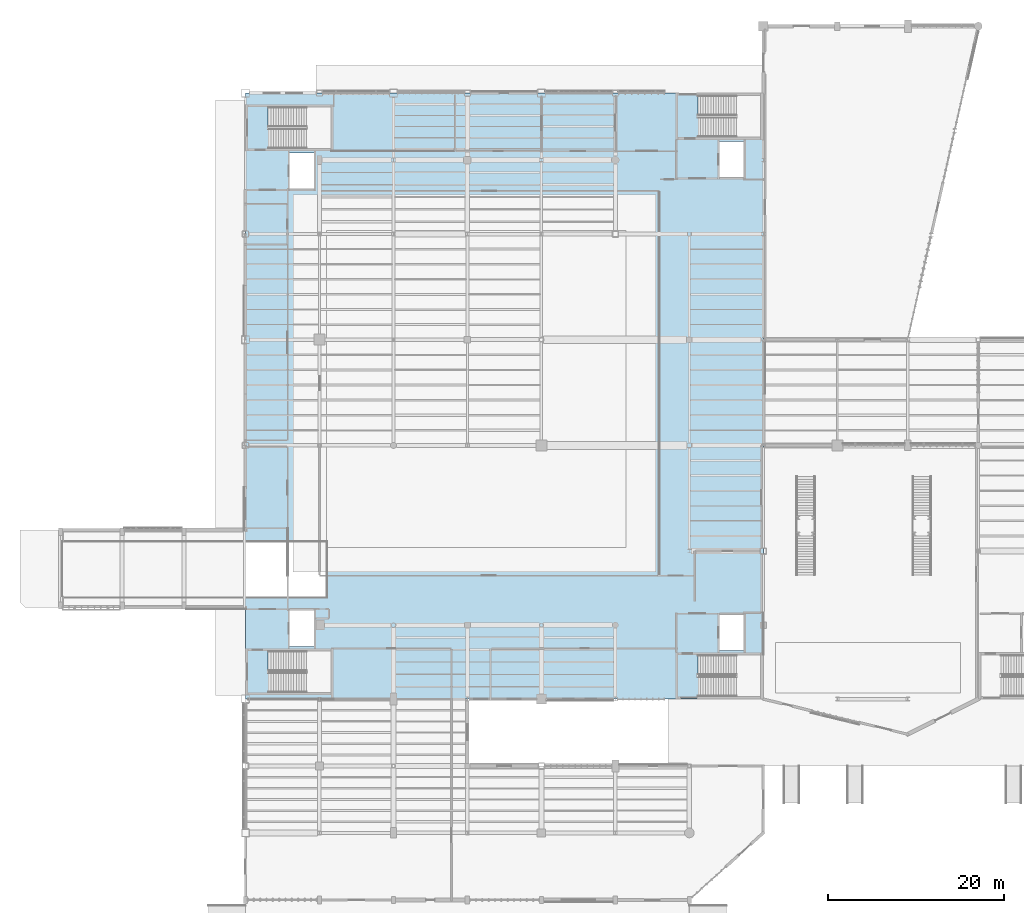
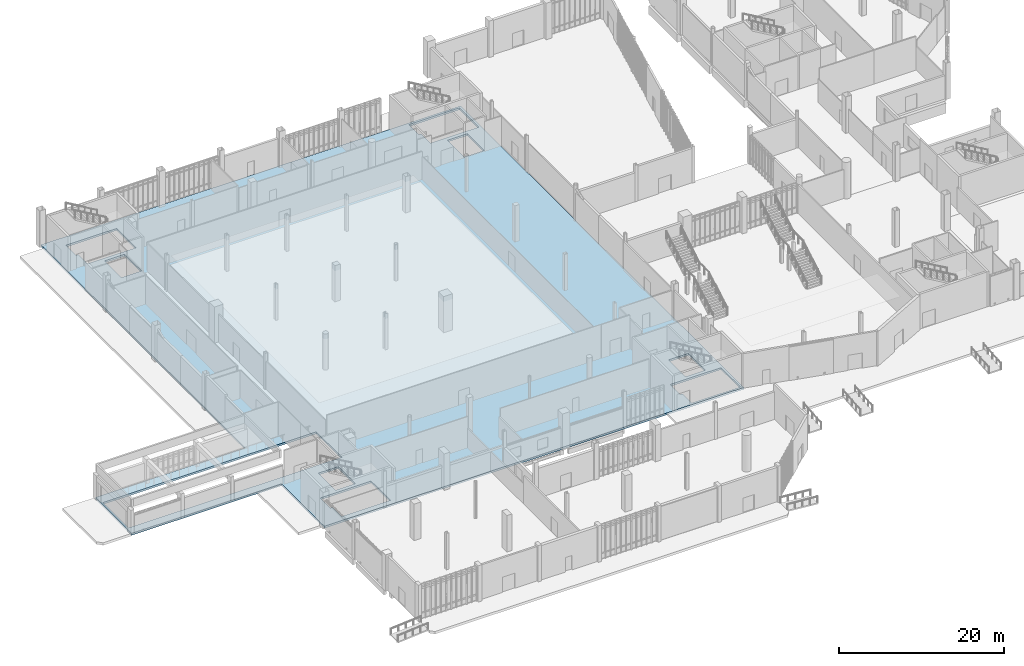
# One storey, part 56 of 111: 1 slab.
"""IFC4 building model written with IfcOpenShell, lengths in metres."""

import ifcopenshell
import ifcopenshell.guid

model = None  # the IFC model being written
_history = None  # IfcOwnerHistory: only IFC2X3 demands one
_inside = {}  # id of a spatial element -> (the spatial element, [elements in it])
_under = {}  # id of a project, library or spatial element -> (it, [spatial elements below it])
_declared = {}  # id of a project -> (the project, [libraries it declares])
_typed = {}  # id of a type object -> (the type object, [elements of that type])
_made_of = {}  # id of a material, layer set ... -> (it, [elements and type objects made of it])


def new_model(schema):
    """Start an empty IFC model of exactly this schema.

    Asked for "IFC4X3", IfcOpenShell would pick the latest addendum, in which some entities
    have other attributes; the version numbers below select the first issue.
    IFC2X3 requires an IfcOwnerHistory on every rooted entity: one is made here for all.
    """
    global model, _history
    if schema == "IFC4X3":
        model = ifcopenshell.file(schema_version=(4, 3, 0, 0))
    else:
        model = ifcopenshell.file(schema=schema)
    _inside.clear()
    _under.clear()
    _declared.clear()
    _typed.clear()
    _made_of.clear()
    _history = None
    if model.schema == "IFC2X3":
        org = make("IfcOrganization", Name="unknown")
        user = make(
            "IfcPersonAndOrganization",
            ThePerson=make("IfcPerson", FamilyName="unknown"),
            TheOrganization=org,
        )
        app = make(
            "IfcApplication",
            ApplicationDeveloper=org,
            Version="unknown",
            ApplicationFullName="unknown",
            ApplicationIdentifier="unknown",
        )
        _history = make(
            "IfcOwnerHistory",
            OwningUser=user,
            OwningApplication=app,
            ChangeAction="ADDED",
            CreationDate=0,
        )
    return model


def make(cls, **values):
    """One entity of the class cls with the attributes given. An attribute that is None is left unset."""
    return model.create_entity(
        cls, **{name: value for name, value in values.items() if value is not None}
    )


def rooted(cls, **values):
    """An entity with a GlobalId (a new one), such as an element, a storey or a relation."""
    return make(cls, GlobalId=ifcopenshell.guid.new(), OwnerHistory=_history, **values)


def si_unit(unit_type, name, prefix=None):
    """IfcSIUnit, for example si_unit("LENGTHUNIT", "METRE", prefix="MILLI")."""
    return make("IfcSIUnit", UnitType=unit_type, Prefix=prefix, Name=name)


def assignment(units):
    """IfcUnitAssignment: the units of a project."""
    return None if units is None else make("IfcUnitAssignment", Units=units)


def point(xyz):
    """IfcCartesianPoint."""
    return None if xyz is None else make("IfcCartesianPoint", Coordinates=xyz)


def direction(xyz):
    """IfcDirection."""
    return None if xyz is None else make("IfcDirection", DirectionRatios=xyz)


def frame(location, z_axis=None, x_axis=None):
    """IfcAxis2Placement3D, a coordinate frame: its origin and axes. An axis left out is left unset."""
    return make(
        "IfcAxis2Placement3D",
        Location=point(location),
        Axis=direction(z_axis),
        RefDirection=direction(x_axis),
    )


def origin():
    """The frame at (0, 0, 0) with its axes left unset."""
    return frame((0.0, 0.0, 0.0))


def place(relative_to, where):
    """IfcLocalPlacement: puts the frame where relative to a parent placement (None: the world)."""
    return make(
        "IfcLocalPlacement", PlacementRelTo=relative_to, RelativePlacement=where
    )


def context(
    kind, dimensions, precision=None, world=None, true_north=None, identifier=None
):
    """IfcGeometricRepresentationContext, for example the 3D "Model" context."""
    return make(
        "IfcGeometricRepresentationContext",
        ContextIdentifier=identifier,
        ContextType=kind,
        CoordinateSpaceDimension=dimensions,
        Precision=precision,
        WorldCoordinateSystem=world,
        TrueNorth=true_north,
    )


def subcontext(parent, identifier, kind, view, scale=None):
    """IfcGeometricRepresentationSubContext, for example "Body" below "Model"."""
    return make(
        "IfcGeometricRepresentationSubContext",
        ContextIdentifier=identifier,
        ContextType=kind,
        ParentContext=parent,
        TargetScale=scale,
        TargetView=view,
    )


def project(units=None, contexts=None):
    """IfcProject with its units and contexts."""
    return rooted(
        "IfcProject",
        Name="project",
        RepresentationContexts=contexts,
        UnitsInContext=assignment(units),
    )


def spatial(cls, under=None, at=None, **own):
    """A site, building, storey or space (cls), placed at a placement, below another one or the project."""
    s = rooted(cls, ObjectPlacement=at, **own)
    if under is not None:
        _under.setdefault(under.id(), (under, []))[1].append(s)
    return s


def polyline(points):
    """IfcPolyline through the points."""
    return make("IfcPolyline", Points=[point(p) for p in points])


def outline(outer, holes=None, kind="AREA"):
    """IfcArbitraryClosedProfileDef: a profile drawn as a closed curve; with holes, ...WithVoids."""
    if holes is None:
        return make("IfcArbitraryClosedProfileDef", ProfileType=kind, OuterCurve=outer)
    return make(
        "IfcArbitraryProfileDefWithVoids",
        ProfileType=kind,
        OuterCurve=outer,
        InnerCurves=holes,
    )


def extrude(swept, where, along, depth):
    """IfcExtrudedAreaSolid: the profile swept, set in the frame where, extruded along a direction by depth."""
    return make(
        "IfcExtrudedAreaSolid",
        SweptArea=swept,
        Position=where,
        ExtrudedDirection=direction(along),
        Depth=depth,
    )


def shape(context_of_items, identifier, shape_type, items):
    """IfcShapeRepresentation: the items that make up one representation, for example the "Body"."""
    return make(
        "IfcShapeRepresentation",
        ContextOfItems=context_of_items,
        RepresentationIdentifier=identifier,
        RepresentationType=shape_type,
        Items=items,
    )


def material(Name=None, Category=None):
    """IfcMaterial."""
    return make("IfcMaterial", Name=Name, Category=Category)


def layer(
    of_material, thickness, ventilated=None, Name=None, Category=None, Priority=None
):
    """IfcMaterialLayer: one layer of a wall or slab, of a material (None: an air gap)."""
    return make(
        "IfcMaterialLayer",
        Material=of_material,
        LayerThickness=thickness,
        IsVentilated=ventilated,
        Name=Name,
        Category=Category,
        Priority=Priority,
    )


def layer_set(layers, Name=None):
    """IfcMaterialLayerSet."""
    return make("IfcMaterialLayerSet", MaterialLayers=layers, LayerSetName=Name)


def made_of(thing, what):
    """Note that an element or type object is made of a material, layer set ...; save() writes the relation."""
    if what is not None:
        _made_of.setdefault(what.id(), (what, []))[1].append(thing)
    return thing


def type_object(cls, material=None, **own):
    """A type object (cls), such as IfcWallType, which elements share."""
    return made_of(rooted(cls, **own), material)


def element(
    cls,
    number,
    at=None,
    inside=None,
    cuts=None,
    type_object=None,
    material=None,
    context=None,
    identifier="Body",
    shape_type=None,
    held_by="IfcProductDefinitionShape",
    body=None,
    shapes=None,
    **own,
):
    """One element of the class cls, such as IfcWall. Its Tag is "e" and its number.

    at: its placement. inside: the storey or other place that contains it. cuts: it is an
    opening in that element (IfcRelVoidsElement). A single representation is given by context,
    identifier, shape_type and body (its items); several are given by shapes. held_by: the class
    of the entity that holds the representations. save() writes the other relations.
    """
    e = rooted(cls, Tag="e%d" % number, ObjectPlacement=at, **own)
    if body is not None:
        shapes = [shape(context, identifier, shape_type, body)]
    if shapes is not None:
        e.Representation = make(held_by, Representations=shapes)
    if inside is not None:
        _inside.setdefault(inside.id(), (inside, []))[1].append(e)
    if cuts is not None:
        rooted(
            "IfcRelVoidsElement", RelatingBuildingElement=cuts, RelatedOpeningElement=e
        )
    if type_object is not None:
        _typed.setdefault(type_object.id(), (type_object, []))[1].append(e)
    return made_of(e, material)


def aggregate(whole, parts):
    """IfcRelAggregates: a whole, such as a stair, and the parts it consists of."""
    return rooted("IfcRelAggregates", RelatingObject=whole, RelatedObjects=parts)


def save(model, path):
    """Write the relations noted so far, then the file.

    IfcRelAggregates (storeys below a building ...), IfcRelContainedInSpatialStructure (elements
    in a storey), IfcRelDefinesByType, IfcRelAssociatesMaterial and IfcRelDeclares: one each for
    every whole, place, type object, material and project.
    """
    for whole, parts in _under.values():
        aggregate(whole, parts)
    for where, things in _inside.values():
        rooted(
            "IfcRelContainedInSpatialStructure",
            RelatedElements=things,
            RelatingStructure=where,
        )
    for kind, things in _typed.values():
        rooted("IfcRelDefinesByType", RelatedObjects=things, RelatingType=kind)
    for what, things in _made_of.values():
        rooted("IfcRelAssociatesMaterial", RelatedObjects=things, RelatingMaterial=what)
    for by, libraries in _declared.values():
        rooted("IfcRelDeclares", RelatingContext=by, RelatedDefinitions=libraries)
    model.write(path)


model = new_model("IFC4")

# Units and contexts
model_context = context("Model", 3, precision=1e-05, world=origin(), true_north=direction((0.0, 1.0)))
body_context = subcontext(model_context, "Body", "Model", "MODEL_VIEW")
ifc_project = project(units=[si_unit("LENGTHUNIT", "METRE"), si_unit("AREAUNIT", "SQUARE_METRE"), si_unit("VOLUMEUNIT", "CUBIC_METRE"), si_unit("PLANEANGLEUNIT", "RADIAN"), si_unit("MASSUNIT", "GRAM", prefix="KILO")], contexts=[model_context])

# Site, building, storey
site_placement = place(None, origin())
site = spatial("IfcSite", under=ifc_project, at=site_placement, CompositionType="ELEMENT")
building_placement = place(site_placement, origin())
building = spatial("IfcBuilding", under=site, at=building_placement, Name="Larkvane Passage Sports Hall", CompositionType="ELEMENT")
storey_placement = place(building_placement, origin())
storey = spatial("IfcBuildingStorey", under=building, at=storey_placement, Name="L00", CompositionType="ELEMENT", Elevation=0.0)

# Slab
ifc_material = material(Name="Concrete C50/60", Category="concrete")
ifc_layer = layer(ifc_material, 0.2900390625)
ifc_layer_set = layer_set([ifc_layer], Name="Concrete C50/60")
slab_type = type_object("IfcSlabType", Name="SLB-FLR-290", PredefinedType="FLOOR", material=ifc_layer_set)
slab_placement = place(storey_placement, frame((0.0, 0.0, -0.2900390625)))
element("IfcSlab", 1, at=slab_placement, inside=storey, type_object=slab_type, Name="Structural floor slab SLAB-L00-V1", PredefinedType="FLOOR", context=body_context, shape_type="SweptSolid", body=[
    extrude(outline(polyline([(13.800048828125, 33.199951171875), (34.800048828125, 33.199951171875), (34.800048828125, 22.800048828125), (93.60009765625, 22.800048828125), (93.60009765625, 91.60009765625), (34.800048828125, 91.60009765625), (34.800048828125, 42.0), (13.800048828125, 42.0), (13.800048828125, 33.199951171875)]), holes=[polyline([(37.679931640625, 23.550048828125), (37.679931640625, 25.800048828125), (37.380615234375, 25.800048828125), (37.380615234375, 28.25), (44.5, 28.25), (44.5, 23.550048828125), (37.679931640625, 23.550048828125)]), polyline([(37.679931640625, 85.300048828125), (37.679931640625, 87.550048828125), (37.380615234375, 87.550048828125), (37.380615234375, 90.0), (44.5, 90.0), (44.5, 85.300048828125), (37.679931640625, 85.300048828125)]), polyline([(86.47998046875, 86.60009765625), (86.47998046875, 88.85009765625), (86.180419921875, 88.85009765625), (86.180419921875, 91.300048828125), (93.300048828125, 91.300048828125), (93.300048828125, 86.60009765625), (86.47998046875, 86.60009765625)]), polyline([(86.47998046875, 23.10009765625), (86.47998046875, 25.35009765625), (86.180419921875, 25.35009765625), (86.180419921875, 27.800048828125), (93.300048828125, 27.800048828125), (93.300048828125, 23.10009765625), (86.47998046875, 23.10009765625)]), polyline([(39.800048828125, 32.89990234375), (42.60009765625, 32.89990234375), (42.60009765625, 28.75), (39.800048828125, 28.75), (39.800048828125, 32.89990234375)]), polyline([(39.800048828125, 84.800048828125), (42.60009765625, 84.800048828125), (42.60009765625, 80.699951171875), (39.800048828125, 80.699951171875), (39.800048828125, 84.800048828125)]), polyline([(88.60009765625, 86.10009765625), (91.39990234375, 86.10009765625), (91.39990234375, 82.0), (88.60009765625, 82.0), (88.60009765625, 86.10009765625)]), polyline([(88.60009765625, 32.39990234375), (91.39990234375, 32.39990234375), (91.39990234375, 28.300048828125), (88.60009765625, 28.300048828125), (88.60009765625, 32.39990234375)]), polyline([(14.050048828125, 40.60009765625), (43.949951171875, 40.60009765625), (43.949951171875, 34.39990234375), (14.050048828125, 34.39990234375), (14.050048828125, 40.60009765625)])]), origin(), (0.0, 0.0, 1.0), 0.2900390625),
])

save(model, "model.ifc")
